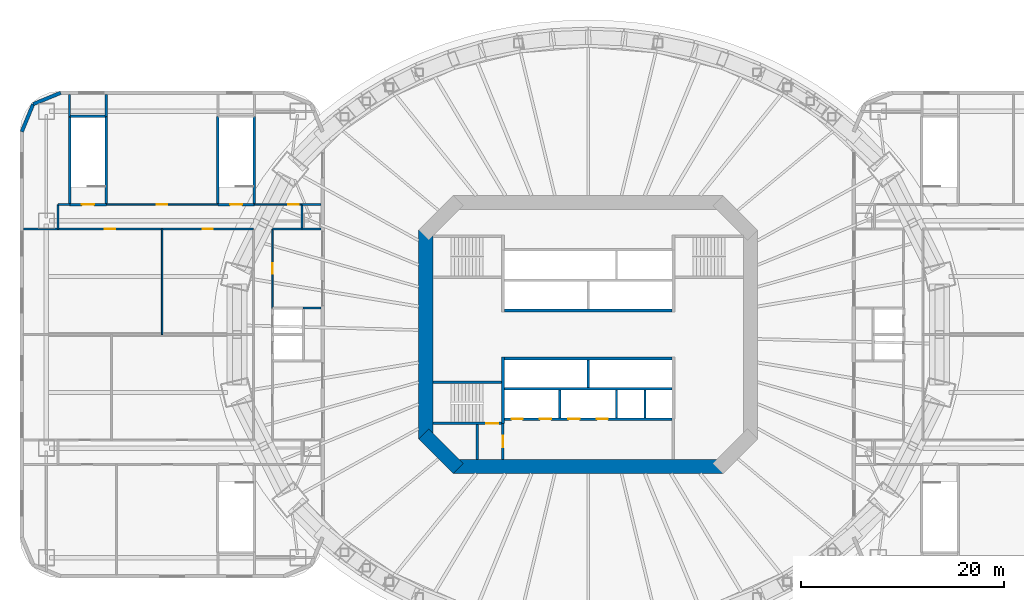
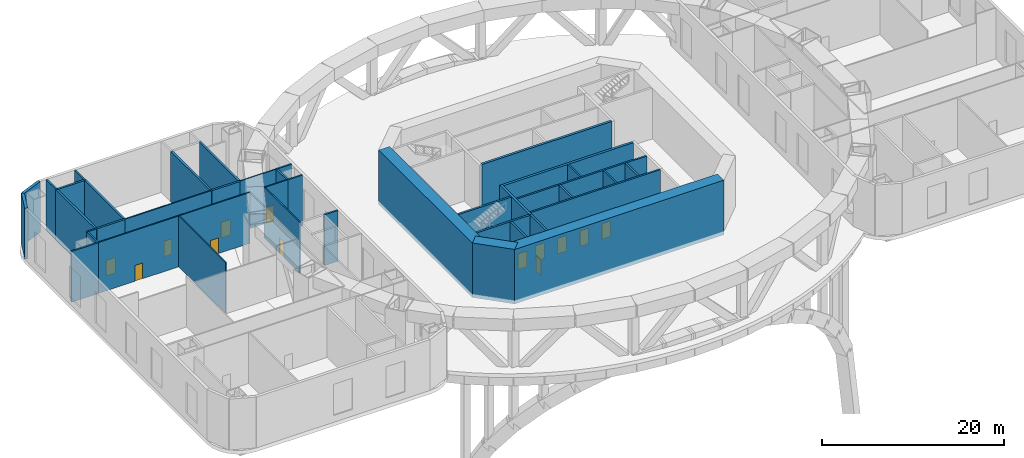
# One storey, part 8 of 13: 40 walls, 13 doors, 13 openings.
"""IFC4 building model written with IfcOpenShell, lengths in metres."""

from ifc_helpers import new_model, si_unit, direction, frame, frame_2d, origin, place, context, subcontext, project, spatial, rectangle, extrude, material, layer, layer_set, type_object, element, fill, save


model = new_model("IFC4")

# Units and contexts
model_context = context("Model", 3, precision=1e-05, world=origin(), true_north=direction((0.0, 1.0)))
body_context = subcontext(model_context, "Body", "Model", "MODEL_VIEW")
ifc_project = project(units=[si_unit("LENGTHUNIT", "METRE"), si_unit("AREAUNIT", "SQUARE_METRE"), si_unit("VOLUMEUNIT", "CUBIC_METRE"), si_unit("PLANEANGLEUNIT", "RADIAN"), si_unit("MASSUNIT", "GRAM", prefix="KILO")], contexts=[model_context])

# Site, building, storey
site_placement = place(None, origin())
site = spatial("IfcSite", under=ifc_project, at=site_placement, CompositionType="ELEMENT")
building_placement = place(site_placement, origin())
building = spatial("IfcBuilding", under=site, at=building_placement, Name="Marenthal Gate Tower", CompositionType="ELEMENT")
storey_placement = place(building_placement, frame((0.0, 0.0, 26.0)))
storey = spatial("IfcBuildingStorey", under=building, at=storey_placement, Name="L03", CompositionType="ELEMENT", Elevation=26.0)

# Walls
ifc_material_1 = material(Name="Concrete 60 MPa", Category="concrete")
ifc_layer_1 = layer(ifc_material_1, 1.39990234375)
ifc_layer_set_1 = layer_set([ifc_layer_1], Name="Core shear wall 1400")
wall_type_1 = type_object("IfcWallType", Name="Core shear wall 1400", PredefinedType="SHEAR", material=ifc_layer_set_1)
wall_1_placement = place(storey_placement, frame((-16.0, 10.289794921875, -0.5), z_axis=(0.0, 0.0, 1.0), x_axis=(0.0, -1.0, 0.0)))
element("IfcWall", 1, at=wall_1_placement, inside=storey, type_object=wall_type_1, Name="Core wall 06", PredefinedType="SHEAR", context=body_context, shape_type="SweptSolid", body=[
    extrude(rectangle(XDim=20.57958984375, YDim=1.39990234375, at=frame_2d((10.289794921875, 0.0))), origin(), (0.0, 0.0, 1.0), 7.320068359375),
])
wall_2_placement = place(storey_placement, frame((-16.205078125, -9.794921875, -0.5), z_axis=(0.0, 0.0, 1.0), x_axis=(0.707106781187, -0.707106781187, 0.0)))
element("IfcWall", 2, at=wall_2_placement, inside=storey, type_object=wall_type_1, Name="Core wall 07", PredefinedType="SHEAR", context=body_context, shape_type="SweptSolid", body=[
    extrude(rectangle(XDim=4.82275390625, YDim=1.39990234375, at=frame_2d((2.411376953125, 0.0))), origin(), (0.0, 0.0, 1.0), 7.320068359375),
])
wall_3_placement = place(storey_placement, frame((-13.289794921875, -13.0, -0.5), z_axis=(0.0, 0.0, 1.0), x_axis=(1.0, 0.0, 0.0)))
element("IfcWall", 3, at=wall_3_placement, inside=storey, type_object=wall_type_1, Name="Core wall 08", PredefinedType="SHEAR", context=body_context, shape_type="SweptSolid", body=[
    extrude(rectangle(XDim=26.57958984375, YDim=1.39990234375, at=frame_2d((13.289794921875, 0.0))), origin(), (0.0, 0.0, 1.0), 7.320068359375),
])
ifc_material_2 = material(Name="Concrete 50 MPa", Category="concrete")
ifc_layer_2 = layer(ifc_material_2, 0.300048828125)
ifc_layer_set_2 = layer_set([ifc_layer_2], Name="Hoistway shear wall 300")
wall_type_2 = type_object("IfcWallType", Name="Hoistway shear wall 300", PredefinedType="SHEAR", material=ifc_layer_set_2)
for number, where, z_axis, x_axis, name in (
    (4, (-8.25, -2.35009765625, -0.5), (0.0, 0.0, 1.0), (1.0, 0.0, 0.0), "Hoistway wall 13"),
    (5, (-8.25, 2.35009765625, -0.5), (0.0, 0.0, 1.0), (1.0, 0.0, 0.0), "Hoistway wall 14"),
):
    element("IfcWall", number, at=place(storey_placement, frame(where, z_axis=z_axis, x_axis=x_axis)), inside=storey, type_object=wall_type_2, Name=name, PredefinedType="SHEAR", context=body_context, shape_type="SweptSolid", body=[
        extrude(rectangle(XDim=16.5, YDim=0.300048828125, at=frame_2d((8.25, 0.0))), origin(), (0.0, 0.0, 1.0), 7.320068359375),
    ])
wall_4_placement = place(storey_placement, frame((-8.39990234375, -8.75, -0.5), z_axis=(0.0, 0.0, 1.0), x_axis=(0.0, 1.0, 0.0)))
element("IfcWall", 6, at=wall_4_placement, inside=storey, type_object=wall_type_2, Name="Hoistway wall 23", PredefinedType="SHEAR", context=body_context, shape_type="SweptSolid", body=[
    extrude(rectangle(XDim=6.550048828125, YDim=0.300048828125, at=frame_2d((3.27490234375, 0.0))), origin(), (0.0, 0.0, 1.0), 7.320068359375),
])

# Wall, openings, doors
ifc_material_3 = material(Name="Concrete 40 MPa", Category="concrete")
ifc_layer_3 = layer(ifc_material_3, 0.219970703125)
ifc_layer_set_3 = layer_set([ifc_layer_3], Name="Hoistway wall 220")
wall_type_3 = type_object("IfcWallType", Name="Hoistway wall 220", PredefinedType="STANDARD", material=ifc_layer_set_3)
wall_5_placement = place(storey_placement, frame((-8.25, -8.35009765625, 0.0), z_axis=(0.0, 0.0, 1.0), x_axis=(1.0, 0.0, 0.0)))
wall_5 = element("IfcWall", 7, at=wall_5_placement, inside=storey, type_object=wall_type_3, Name="Hoistway wall 10", PredefinedType="STANDARD", context=body_context, shape_type="SweptSolid", body=[
    extrude(rectangle(XDim=16.5, YDim=0.219970703125, at=frame_2d((8.25, 0.0))), origin(), (0.0, 0.0, 1.0), 6.820068359375),
])
opening_1_placement = place(wall_5_placement, frame((0.699951171875, 0.0, 0.0)))
opening_1 = element("IfcOpeningElement", 8, at=opening_1_placement, cuts=wall_5, Name="Opening LD-LF1", PredefinedType="OPENING", context=body_context, shape_type="SweptSolid", body=[
    extrude(rectangle(XDim=1.10009765625, YDim=2.10009765625, at=frame_2d((0.550048828125, 1.050048828125))), frame((0.0, 0.1201171875, 0.0), z_axis=(0.0, -1.0, 0.0), x_axis=(1.0, 0.0, 0.0)), (0.0, 0.0, 1.0), 0.239990234375),
])
opening_2_placement = place(wall_5_placement, frame((3.5, 0.0, 0.0)))
opening_2 = element("IfcOpeningElement", 9, at=opening_2_placement, cuts=wall_5, Name="Opening LD-LF2", PredefinedType="OPENING", context=body_context, shape_type="SweptSolid", body=[
    extrude(rectangle(XDim=1.10009765625, YDim=2.10009765625, at=frame_2d((0.550048828125, 1.050048828125))), frame((0.0, 0.1201171875, 0.0), z_axis=(0.0, -1.0, 0.0), x_axis=(1.0, 0.0, 0.0)), (0.0, 0.0, 1.0), 0.239990234375),
])
opening_3_placement = place(wall_5_placement, frame((6.300048828125, 0.0, 0.0)))
opening_3 = element("IfcOpeningElement", 10, at=opening_3_placement, cuts=wall_5, Name="Opening LD-SV1", PredefinedType="OPENING", context=body_context, shape_type="SweptSolid", body=[
    extrude(rectangle(XDim=1.10009765625, YDim=2.10009765625, at=frame_2d((0.550048828125, 1.050048828125))), frame((0.0, 0.1201171875, 0.0), z_axis=(0.0, -1.0, 0.0), x_axis=(1.0, 0.0, 0.0)), (0.0, 0.0, 1.0), 0.239990234375),
])
opening_4_placement = place(wall_5_placement, frame((9.10009765625, 0.0, 0.0)))
opening_4 = element("IfcOpeningElement", 11, at=opening_4_placement, cuts=wall_5, Name="Opening LD-SV2", PredefinedType="OPENING", context=body_context, shape_type="SweptSolid", body=[
    extrude(rectangle(XDim=1.10009765625, YDim=2.10009765625, at=frame_2d((0.550048828125, 1.050048828125))), frame((0.0, 0.1201171875, 0.0), z_axis=(0.0, -1.0, 0.0), x_axis=(1.0, 0.0, 0.0)), (0.0, 0.0, 1.0), 0.239990234375),
])
ifc_material_4 = material(Name="Stainless steel sliding door", Category="steel")
door_type_1 = type_object("IfcDoorType", Name="Lift landing door FD 90 1100 x 2100", OperationType="DOUBLE_DOOR_SLIDING", PredefinedType="DOOR", material=ifc_material_4)
door_1_placement = place(opening_1_placement, origin())
door_1 = element("IfcDoor", 12, at=door_1_placement, inside=storey, type_object=door_type_1, Name="Lift landing door LF1", OperationType="DOUBLE_DOOR_SLIDING", OverallHeight=2.10009765625, OverallWidth=1.10009765625, PredefinedType="DOOR", context=body_context, shape_type="SweptSolid", body=[
    extrude(rectangle(XDim=1.10009765625, YDim=2.10009765625, at=frame_2d((0.550048828125, 1.050048828125))), frame((0.0, 0.02490234375, 0.0), z_axis=(0.0, -1.0, 0.0), x_axis=(1.0, 0.0, 0.0)), (0.0, 0.0, 1.0), 0.050048828125),
])
fill(opening_1, door_1)
door_2_placement = place(opening_2_placement, origin())
door_2 = element("IfcDoor", 13, at=door_2_placement, inside=storey, type_object=door_type_1, Name="Lift landing door LF2", OperationType="DOUBLE_DOOR_SLIDING", OverallHeight=2.10009765625, OverallWidth=1.10009765625, PredefinedType="DOOR", context=body_context, shape_type="SweptSolid", body=[
    extrude(rectangle(XDim=1.10009765625, YDim=2.10009765625, at=frame_2d((0.550048828125, 1.050048828125))), frame((0.0, 0.02490234375, 0.0), z_axis=(0.0, -1.0, 0.0), x_axis=(1.0, 0.0, 0.0)), (0.0, 0.0, 1.0), 0.050048828125),
])
fill(opening_2, door_2)
door_3_placement = place(opening_3_placement, origin())
door_3 = element("IfcDoor", 14, at=door_3_placement, inside=storey, type_object=door_type_1, Name="Lift landing door SV1", OperationType="DOUBLE_DOOR_SLIDING", OverallHeight=2.10009765625, OverallWidth=1.10009765625, PredefinedType="DOOR", context=body_context, shape_type="SweptSolid", body=[
    extrude(rectangle(XDim=1.10009765625, YDim=2.10009765625, at=frame_2d((0.550048828125, 1.050048828125))), frame((0.0, 0.02490234375, 0.0), z_axis=(0.0, -1.0, 0.0), x_axis=(1.0, 0.0, 0.0)), (0.0, 0.0, 1.0), 0.050048828125),
])
fill(opening_3, door_3)
door_4_placement = place(opening_4_placement, origin())
door_4 = element("IfcDoor", 15, at=door_4_placement, inside=storey, type_object=door_type_1, Name="Lift landing door SV2", OperationType="DOUBLE_DOOR_SLIDING", OverallHeight=2.10009765625, OverallWidth=1.10009765625, PredefinedType="DOOR", context=body_context, shape_type="SweptSolid", body=[
    extrude(rectangle(XDim=1.10009765625, YDim=2.10009765625, at=frame_2d((0.550048828125, 1.050048828125))), frame((0.0, 0.02490234375, 0.0), z_axis=(0.0, -1.0, 0.0), x_axis=(1.0, 0.0, 0.0)), (0.0, 0.0, 1.0), 0.050048828125),
])
fill(opening_4, door_4)

# Walls
wall_6_placement = place(storey_placement, frame((-8.25, -5.35009765625, 0.0), z_axis=(0.0, 0.0, 1.0), x_axis=(1.0, 0.0, 0.0)))
element("IfcWall", 16, at=wall_6_placement, inside=storey, type_object=wall_type_3, Name="Hoistway wall 11", PredefinedType="STANDARD", context=body_context, shape_type="SweptSolid", body=[
    extrude(rectangle(XDim=16.5, YDim=0.219970703125, at=frame_2d((8.25, 0.0))), origin(), (0.0, 0.0, 1.0), 6.820068359375),
])
wall_7_placement = place(storey_placement, frame((-2.800048828125, -8.239990234375, 0.0), z_axis=(0.0, 0.0, 1.0), x_axis=(0.0, 1.0, 0.0)))
element("IfcWall", 17, at=wall_7_placement, inside=storey, type_object=wall_type_3, Name="Hoistway wall 26", PredefinedType="STANDARD", context=body_context, shape_type="SweptSolid", body=[
    extrude(rectangle(XDim=2.780029296875, YDim=0.219970703125, at=frame_2d((1.39013671875, 0.0))), origin(), (0.0, 0.0, 1.0), 6.820068359375),
])
wall_8_placement = place(storey_placement, frame((0.0, -5.239990234375, 0.0), z_axis=(0.0, 0.0, 1.0), x_axis=(0.0, 1.0, 0.0)))
element("IfcWall", 18, at=wall_8_placement, inside=storey, type_object=wall_type_3, Name="Hoistway wall 27", PredefinedType="STANDARD", context=body_context, shape_type="SweptSolid", body=[
    extrude(rectangle(XDim=2.739990234375, YDim=0.219970703125, at=frame_2d((1.3701171875, 0.0))), origin(), (0.0, 0.0, 1.0), 6.820068359375),
])
for number, where, z_axis, x_axis, name in (
    (19, (2.800048828125, -8.239990234375, 0.0), (0.0, 0.0, 1.0), (0.0, 1.0, 0.0), "Hoistway wall 29"),
    (20, (5.60009765625, -8.239990234375, 0.0), (0.0, 0.0, 1.0), (0.0, 1.0, 0.0), "Hoistway wall 31"),
):
    element("IfcWall", number, at=place(storey_placement, frame(where, z_axis=z_axis, x_axis=x_axis)), inside=storey, type_object=wall_type_3, Name=name, PredefinedType="STANDARD", context=body_context, shape_type="SweptSolid", body=[
        extrude(rectangle(XDim=2.780029296875, YDim=0.219970703125, at=frame_2d((1.39013671875, 0.0))), origin(), (0.0, 0.0, 1.0), 6.820068359375),
    ])

# Wall, openings, doors
ifc_material_5 = material(Name="Gypsum board on steel studs", Category="steel")
ifc_layer_4 = layer(ifc_material_5, 0.14990234375)
ifc_layer_set_4 = layer_set([ifc_layer_4], Name="Partition 150")
wall_type_4 = type_object("IfcWallType", Name="Partition 150", PredefinedType="PARTITIONING", material=ifc_layer_set_4)
wall_9_placement = place(storey_placement, frame((-52.25, 10.39990234375, 0.0), z_axis=(0.0, 0.0, 1.0), x_axis=(1.0, 0.0, 0.0)))
wall_9 = element("IfcWall", 21, at=wall_9_placement, inside=storey, type_object=wall_type_4, Name="Partition wall 56", PredefinedType="PARTITIONING", context=body_context, shape_type="SweptSolid", body=[
    extrude(rectangle(XDim=19.2548828125, YDim=0.14990234375, at=frame_2d((9.62744140625, 0.0))), origin(), (0.0, 0.0, 1.0), 6.820068359375),
])
opening_5_placement = place(wall_9_placement, frame((14.25, 0.0, 0.0)))
opening_5 = element("IfcOpeningElement", 22, at=opening_5_placement, cuts=wall_9, Name="Opening D005.13", PredefinedType="OPENING", context=body_context, shape_type="SweptSolid", body=[
    extrude(rectangle(XDim=1.0, YDim=2.10009765625, at=frame_2d((0.5, 1.050048828125))), frame((0.0, 0.0849609375, 0.0), z_axis=(0.0, -1.0, 0.0), x_axis=(1.0, 0.0, 0.0)), (0.0, 0.0, 1.0), 0.169921875),
])
opening_6_placement = place(wall_9_placement, frame((4.62255859375, 0.0, 0.0)))
opening_6 = element("IfcOpeningElement", 23, at=opening_6_placement, cuts=wall_9, Name="Opening D005.14", PredefinedType="OPENING", context=body_context, shape_type="SweptSolid", body=[
    extrude(rectangle(XDim=1.0, YDim=2.10009765625, at=frame_2d((0.5, 1.050048828125))), frame((0.0, 0.0849609375, 0.0), z_axis=(0.0, -1.0, 0.0), x_axis=(1.0, 0.0, 0.0)), (0.0, 0.0, 1.0), 0.169921875),
])
ifc_material_6 = material(Name="Steel fire door", Category="steel")
door_type_2 = type_object("IfcDoorType", Name="Fire door FD 45 1000 x 2100", OperationType="NOTDEFINED", PredefinedType="DOOR", material=ifc_material_6)
door_5_placement = place(opening_5_placement, frame((1.0, 0.0, 0.0), z_axis=(0.0, 0.0, 1.0), x_axis=(-1.0, 0.0, 0.0)))
door_5 = element("IfcDoor", 24, at=door_5_placement, inside=storey, type_object=door_type_2, Name="Door D005.13", OperationType="SINGLE_SWING_LEFT", OverallHeight=2.10009765625, OverallWidth=1.0, PredefinedType="DOOR", context=body_context, shape_type="SweptSolid", body=[
    extrude(rectangle(XDim=1.0, YDim=2.10009765625, at=frame_2d((0.5, 1.050048828125))), frame((0.0, 0.02490234375, 0.0), z_axis=(0.0, -1.0, 0.0), x_axis=(1.0, 0.0, 0.0)), (0.0, 0.0, 1.0), 0.050048828125),
])
fill(opening_5, door_5)
door_6_placement = place(opening_6_placement, frame((1.0, 0.0, 0.0), z_axis=(0.0, 0.0, 1.0), x_axis=(-1.0, 0.0, 0.0)))
door_6 = element("IfcDoor", 25, at=door_6_placement, inside=storey, type_object=door_type_2, Name="Door D005.14", OperationType="SINGLE_SWING_LEFT", OverallHeight=2.10009765625, OverallWidth=1.0, PredefinedType="DOOR", context=body_context, shape_type="SweptSolid", body=[
    extrude(rectangle(XDim=1.0, YDim=2.10009765625, at=frame_2d((0.5, 1.050048828125))), frame((0.0, 0.02490234375, 0.0), z_axis=(0.0, -1.0, 0.0), x_axis=(1.0, 0.0, 0.0)), (0.0, 0.0, 1.0), 0.050048828125),
])
fill(opening_6, door_6)

# Wall
wall_10_placement = place(storey_placement, frame((-31.10498046875, 10.39990234375, 0.0), z_axis=(0.0, 0.0, 1.0), x_axis=(1.0, 0.0, 0.0)))
element("IfcWall", 26, at=wall_10_placement, inside=storey, type_object=wall_type_4, Name="Partition wall 57", PredefinedType="PARTITIONING", context=body_context, shape_type="SweptSolid", body=[
    extrude(rectangle(XDim=2.905029296875, YDim=0.14990234375, at=frame_2d((1.45263671875, 0.0))), origin(), (0.0, 0.0, 1.0), 6.820068359375),
])

# Wall, opening, door
wall_11_placement = place(storey_placement, frame((-47.5048828125, 12.800048828125, 0.0), z_axis=(0.0, 0.0, 1.0), x_axis=(1.0, 0.0, 0.0)))
wall_11 = element("IfcWall", 27, at=wall_11_placement, inside=storey, type_object=wall_type_4, Name="Partition wall 60", PredefinedType="PARTITIONING", context=body_context, shape_type="SweptSolid", body=[
    extrude(rectangle(XDim=11.009765625, YDim=0.14990234375, at=frame_2d((5.5048828125, 0.0))), origin(), (0.0, 0.0, 1.0), 6.820068359375),
])
opening_7_placement = place(wall_11_placement, frame((5.0048828125, 0.0, 0.0)))
opening_7 = element("IfcOpeningElement", 28, at=opening_7_placement, cuts=wall_11, Name="Opening D005.12", PredefinedType="OPENING", context=body_context, shape_type="SweptSolid", body=[
    extrude(rectangle(XDim=1.0, YDim=2.10009765625, at=frame_2d((0.5, 1.050048828125))), frame((0.0, 0.0849609375, 0.0), z_axis=(0.0, -1.0, 0.0), x_axis=(1.0, 0.0, 0.0)), (0.0, 0.0, 1.0), 0.169921875),
])
door_7_placement = place(opening_7_placement, origin())
door_7 = element("IfcDoor", 29, at=door_7_placement, inside=storey, type_object=door_type_2, Name="Door D005.12", OperationType="SINGLE_SWING_RIGHT", OverallHeight=2.10009765625, OverallWidth=1.0, PredefinedType="DOOR", context=body_context, shape_type="SweptSolid", body=[
    extrude(rectangle(XDim=1.0, YDim=2.10009765625, at=frame_2d((0.5, 1.050048828125))), frame((0.0, 0.02490234375, 0.0), z_axis=(0.0, -1.0, 0.0), x_axis=(1.0, 0.0, 0.0)), (0.0, 0.0, 1.0), 0.050048828125),
])
fill(opening_7, door_7)

wall_12_placement = place(storey_placement, frame((-32.905029296875, 12.800048828125, 0.0), z_axis=(0.0, 0.0, 1.0), x_axis=(1.0, 0.0, 0.0)))
wall_12 = element("IfcWall", 30, at=wall_12_placement, inside=storey, type_object=wall_type_4, Name="Partition wall 61", PredefinedType="PARTITIONING", context=body_context, shape_type="SweptSolid", body=[
    extrude(rectangle(XDim=4.705078125, YDim=0.14990234375, at=frame_2d((2.3525390625, 0.0))), origin(), (0.0, 0.0, 1.0), 6.820068359375),
])
opening_8_placement = place(wall_12_placement, frame((3.357421875, 0.0, 0.0)))
opening_8 = element("IfcOpeningElement", 31, at=opening_8_placement, cuts=wall_12, Name="Opening D005.21", PredefinedType="OPENING", context=body_context, shape_type="SweptSolid", body=[
    extrude(rectangle(XDim=1.0, YDim=2.10009765625, at=frame_2d((0.5, 1.050048828125))), frame((0.0, 0.0849609375, 0.0), z_axis=(0.0, -1.0, 0.0), x_axis=(1.0, 0.0, 0.0)), (0.0, 0.0, 1.0), 0.169921875),
])
door_8_placement = place(opening_8_placement, origin())
door_8 = element("IfcDoor", 32, at=door_8_placement, inside=storey, type_object=door_type_2, Name="Door D005.21", OperationType="SINGLE_SWING_RIGHT", OverallHeight=2.10009765625, OverallWidth=1.0, PredefinedType="DOOR", context=body_context, shape_type="SweptSolid", body=[
    extrude(rectangle(XDim=1.0, YDim=2.10009765625, at=frame_2d((0.5, 1.050048828125))), frame((0.0, 0.02490234375, 0.0), z_axis=(0.0, -1.0, 0.0), x_axis=(1.0, 0.0, 0.0)), (0.0, 0.0, 1.0), 0.050048828125),
])
fill(opening_8, door_8)

wall_13_placement = place(storey_placement, frame((-31.10009765625, 2.594970703125, 0.0), z_axis=(0.0, 0.0, 1.0), x_axis=(0.0, 1.0, 0.0)))
wall_13 = element("IfcWall", 33, at=wall_13_placement, inside=storey, type_object=wall_type_4, Name="Partition wall 71", PredefinedType="PARTITIONING", context=body_context, shape_type="SweptSolid", body=[
    extrude(rectangle(XDim=7.804931640625, YDim=0.14990234375, at=frame_2d((3.90234375, 0.0))), origin(), (0.0, 0.0, 1.0), 6.820068359375),
])
opening_9_placement = place(wall_13_placement, frame((3.405029296875, 0.0, 0.0)))
opening_9 = element("IfcOpeningElement", 34, at=opening_9_placement, cuts=wall_13, Name="Opening D005.19", PredefinedType="OPENING", context=body_context, shape_type="SweptSolid", body=[
    extrude(rectangle(XDim=1.0, YDim=2.10009765625, at=frame_2d((0.5, 1.050048828125))), frame((0.0, 0.0849609375, 0.0), z_axis=(0.0, -1.0, 0.0), x_axis=(1.0, 0.0, 0.0)), (0.0, 0.0, 1.0), 0.169921875),
])
door_9_placement = place(opening_9_placement, frame((1.0, 0.0, 0.0), z_axis=(0.0, 0.0, 1.0), x_axis=(-1.0, 0.0, 0.0)))
door_9 = element("IfcDoor", 35, at=door_9_placement, inside=storey, type_object=door_type_2, Name="Door D005.19", OperationType="SINGLE_SWING_LEFT", OverallHeight=2.10009765625, OverallWidth=1.0, PredefinedType="DOOR", context=body_context, shape_type="SweptSolid", body=[
    extrude(rectangle(XDim=1.0, YDim=2.10009765625, at=frame_2d((0.5, 1.050048828125))), frame((0.0, 0.02490234375, 0.0), z_axis=(0.0, -1.0, 0.0), x_axis=(1.0, 0.0, 0.0)), (0.0, 0.0, 1.0), 0.050048828125),
])
fill(opening_9, door_9)

# Walls
wall_14_placement = place(storey_placement, frame((-42.0, 0.0, 0.0), z_axis=(0.0, 0.0, 1.0), x_axis=(0.0, 1.0, 0.0)))
element("IfcWall", 36, at=wall_14_placement, inside=storey, type_object=wall_type_4, Name="Partition wall 73", PredefinedType="PARTITIONING", context=body_context, shape_type="SweptSolid", body=[
    extrude(rectangle(XDim=10.39990234375, YDim=0.14990234375, at=frame_2d((5.199951171875, 0.0))), origin(), (0.0, 0.0, 1.0), 6.820068359375),
])
ifc_material_7 = material(Name="Gypsum board on steel studs", Category="steel")
ifc_layer_5 = layer(ifc_material_7, 0.199951171875)
ifc_layer_set_5 = layer_set([ifc_layer_5], Name="Partition 200")
wall_type_5 = type_object("IfcWallType", Name="Partition 200", PredefinedType="PARTITIONING", material=ifc_layer_set_5)
wall_15_placement = place(storey_placement, frame((-28.10009765625, 2.60009765625, 0.0), z_axis=(0.0, 0.0, 1.0), x_axis=(1.0, 0.0, 0.0)))
element("IfcWall", 37, at=wall_15_placement, inside=storey, type_object=wall_type_5, Name="Partition wall 88", PredefinedType="PARTITIONING", context=body_context, shape_type="SweptSolid", body=[
    extrude(rectangle(XDim=1.77001953125, YDim=0.199951171875, at=frame_2d((0.885009765625, 0.0))), origin(), (0.0, 0.0, 1.0), 6.820068359375),
])
wall_16_placement = place(storey_placement, frame((-55.669921875, 10.39990234375, 0.0), z_axis=(0.0, 0.0, 1.0), x_axis=(1.0, 0.0, 0.0)))
element("IfcWall", 38, at=wall_16_placement, inside=storey, type_object=wall_type_5, Name="Partition wall 90", PredefinedType="PARTITIONING", context=body_context, shape_type="SweptSolid", body=[
    extrude(rectangle(XDim=3.4248046875, YDim=0.199951171875, at=frame_2d((1.71240234375, 0.0))), origin(), (0.0, 0.0, 1.0), 6.820068359375),
])
wall_17_placement = place(storey_placement, frame((-28.203857421875, 10.39990234375, 0.0), z_axis=(0.0, 0.0, 1.0), x_axis=(1.0, 0.0, 0.0)))
element("IfcWall", 39, at=wall_17_placement, inside=storey, type_object=wall_type_5, Name="Partition wall 91", PredefinedType="PARTITIONING", context=body_context, shape_type="SweptSolid", body=[
    extrude(rectangle(XDim=1.873779296875, YDim=0.199951171875, at=frame_2d((0.93701171875, 0.0))), origin(), (0.0, 0.0, 1.0), 6.820068359375),
])
wall_18_placement = place(storey_placement, frame((-52.25, 12.800048828125, 0.0), z_axis=(0.0, 0.0, 1.0), x_axis=(1.0, 0.0, 0.0)))
element("IfcWall", 40, at=wall_18_placement, inside=storey, type_object=wall_type_5, Name="Partition wall 94", PredefinedType="PARTITIONING", context=body_context, shape_type="SweptSolid", body=[
    extrude(rectangle(XDim=1.155029296875, YDim=0.199951171875, at=frame_2d((0.57763671875, 0.0))), origin(), (0.0, 0.0, 1.0), 6.820068359375),
])
wall_19_placement = place(storey_placement, frame((-28.203857421875, 12.800048828125, 0.0), z_axis=(0.0, 0.0, 1.0), x_axis=(1.0, 0.0, 0.0)))
element("IfcWall", 41, at=wall_19_placement, inside=storey, type_object=wall_type_5, Name="Partition wall 95", PredefinedType="PARTITIONING", context=body_context, shape_type="SweptSolid", body=[
    extrude(rectangle(XDim=1.873779296875, YDim=0.199951171875, at=frame_2d((0.93701171875, 0.0))), origin(), (0.0, 0.0, 1.0), 6.820068359375),
])
wall_20_placement = place(storey_placement, frame((-28.199951171875, 10.39990234375, 0.0), z_axis=(0.0, 0.0, 1.0), x_axis=(0.0, 1.0, 0.0)))
element("IfcWall", 42, at=wall_20_placement, inside=storey, type_object=wall_type_5, Name="Partition wall 12", PredefinedType="PARTITIONING", context=body_context, shape_type="SweptSolid", body=[
    extrude(rectangle(XDim=2.400146484375, YDim=0.199951171875, at=frame_2d((1.2001953125, 0.0))), origin(), (0.0, 0.0, 1.0), 6.820068359375),
])
for number, where, z_axis, x_axis, name in (
    (43, (-47.5, 21.49609375, 0.0), (0.0, 0.0, 1.0), (0.0, 1.0, 0.0), "Partition wall 17"),
    (44, (-51.10009765625, 21.49609375, 0.0), (0.0, 0.0, 1.0), (0.0, 1.0, 0.0), "Partition wall 18"),
):
    element("IfcWall", number, at=place(storey_placement, frame(where, z_axis=z_axis, x_axis=x_axis)), inside=storey, type_object=wall_type_5, Name=name, PredefinedType="PARTITIONING", context=body_context, shape_type="SweptSolid", body=[
        extrude(rectangle(XDim=2.173828125, YDim=0.199951171875, at=frame_2d((1.0869140625, 0.0))), origin(), (0.0, 0.0, 1.0), 6.820068359375),
    ])
wall_21_placement = place(storey_placement, frame((-52.25, 10.39990234375, 0.0), z_axis=(0.0, 0.0, 1.0), x_axis=(0.0, 1.0, 0.0)))
element("IfcWall", 45, at=wall_21_placement, inside=storey, type_object=wall_type_5, Name="Partition wall 20", PredefinedType="PARTITIONING", context=body_context, shape_type="SweptSolid", body=[
    extrude(rectangle(XDim=2.400146484375, YDim=0.199951171875, at=frame_2d((1.2001953125, 0.0))), origin(), (0.0, 0.0, 1.0), 6.820068359375),
])
ifc_material_8 = material(Name="Concrete 40 MPa", Category="concrete")
ifc_layer_6 = layer(ifc_material_8, 0.25)
ifc_layer_set_6 = layer_set([ifc_layer_6], Name="Stair enclosure wall 250")
wall_type_6 = type_object("IfcWallType", Name="Stair enclosure wall 250", PredefinedType="STANDARD", material=ifc_layer_set_6)
wall_22_placement = place(storey_placement, frame((-10.949951171875, -12.300048828125, 0.0), z_axis=(0.0, 0.0, 1.0), x_axis=(0.0, 1.0, 0.0)))
element("IfcWall", 46, at=wall_22_placement, inside=storey, type_object=wall_type_6, Name="Stair wall 21", PredefinedType="STANDARD", context=body_context, shape_type="SweptSolid", body=[
    extrude(rectangle(XDim=3.425048828125, YDim=0.25, at=frame_2d((1.71240234375, 0.0))), origin(), (0.0, 0.0, 1.0), 6.820068359375),
])

# Wall, opening, door
wall_23_placement = place(storey_placement, frame((-8.39990234375, -12.300048828125, 0.0), z_axis=(0.0, 0.0, 1.0), x_axis=(0.0, 1.0, 0.0)))
wall_23 = element("IfcWall", 47, at=wall_23_placement, inside=storey, type_object=wall_type_6, Name="Stair wall 22", PredefinedType="STANDARD", context=body_context, shape_type="SweptSolid", body=[
    extrude(rectangle(XDim=3.550048828125, YDim=0.25, at=frame_2d((1.77490234375, 0.0))), origin(), (0.0, 0.0, 1.0), 6.820068359375),
])
opening_10_placement = place(wall_23_placement, frame((1.199951171875, 0.0, 0.0)))
opening_10 = element("IfcOpeningElement", 48, at=opening_10_placement, cuts=wall_23, Name="Opening D002.01", PredefinedType="OPENING", context=body_context, shape_type="SweptSolid", body=[
    extrude(rectangle(XDim=1.10009765625, YDim=2.10009765625, at=frame_2d((0.550048828125, 1.050048828125))), frame((0.0, 0.135009765625, 0.0), z_axis=(0.0, -1.0, 0.0), x_axis=(1.0, 0.0, 0.0)), (0.0, 0.0, 1.0), 0.27001953125),
])
ifc_material_9 = material(Name="Steel fire door", Category="steel")
door_type_3 = type_object("IfcDoorType", Name="Fire door FD 90 1100 x 2100", OperationType="NOTDEFINED", PredefinedType="DOOR", material=ifc_material_9)
door_10_placement = place(opening_10_placement, origin())
door_10 = element("IfcDoor", 49, at=door_10_placement, inside=storey, type_object=door_type_3, Name="Door D002.01", OperationType="SINGLE_SWING_RIGHT", OverallHeight=2.10009765625, OverallWidth=1.10009765625, PredefinedType="DOOR", context=body_context, shape_type="SweptSolid", body=[
    extrude(rectangle(XDim=1.10009765625, YDim=2.10009765625, at=frame_2d((0.550048828125, 1.050048828125))), frame((0.0, 0.02490234375, 0.0), z_axis=(0.0, -1.0, 0.0), x_axis=(1.0, 0.0, 0.0)), (0.0, 0.0, 1.0), 0.050048828125),
])
fill(opening_10, door_10)

ifc_material_10 = material(Name="Concrete 50 MPa", Category="concrete")
ifc_layer_7 = layer(ifc_material_10, 0.25)
ifc_layer_set_7 = layer_set([ifc_layer_7], Name="Stair shear wall 250")
wall_type_7 = type_object("IfcWallType", Name="Stair shear wall 250", PredefinedType="SHEAR", material=ifc_layer_set_7)
wall_24_placement = place(storey_placement, frame((-15.300048828125, -8.75, -0.5), z_axis=(0.0, 0.0, 1.0), x_axis=(1.0, 0.0, 0.0)))
wall_24 = element("IfcWall", 50, at=wall_24_placement, inside=storey, type_object=wall_type_7, Name="Stair wall 09", PredefinedType="SHEAR", context=body_context, shape_type="SweptSolid", body=[
    extrude(rectangle(XDim=6.75, YDim=0.25, at=frame_2d((3.375, 0.0))), origin(), (0.0, 0.0, 1.0), 7.320068359375),
])
opening_11_placement = place(wall_24_placement, frame((5.25, 0.0, 0.5)))
opening_11 = element("IfcOpeningElement", 51, at=opening_11_placement, cuts=wall_24, Name="Opening D001.01", PredefinedType="OPENING", context=body_context, shape_type="SweptSolid", body=[
    extrude(rectangle(XDim=1.199951171875, YDim=2.10009765625, at=frame_2d((0.60009765625, 1.050048828125))), frame((0.0, 0.135009765625, 0.0), z_axis=(0.0, -1.0, 0.0), x_axis=(1.0, 0.0, 0.0)), (0.0, 0.0, 1.0), 0.27001953125),
])
ifc_material_11 = material(Name="Steel fire door", Category="steel")
door_type_4 = type_object("IfcDoorType", Name="Fire door FD 90 1200 x 2100", OperationType="NOTDEFINED", PredefinedType="DOOR", material=ifc_material_11)
door_11_placement = place(opening_11_placement, origin())
door_11 = element("IfcDoor", 52, at=door_11_placement, inside=storey, type_object=door_type_4, Name="Door D001.01", OperationType="SINGLE_SWING_RIGHT", OverallHeight=2.10009765625, OverallWidth=1.199951171875, PredefinedType="DOOR", context=body_context, shape_type="SweptSolid", body=[
    extrude(rectangle(XDim=1.199951171875, YDim=2.10009765625, at=frame_2d((0.60009765625, 1.050048828125))), frame((0.0, 0.02490234375, 0.0), z_axis=(0.0, -1.0, 0.0), x_axis=(1.0, 0.0, 0.0)), (0.0, 0.0, 1.0), 0.050048828125),
])
fill(opening_11, door_11)

# Wall
wall_25_placement = place(storey_placement, frame((-15.300048828125, -4.699951171875, -0.5), z_axis=(0.0, 0.0, 1.0), x_axis=(1.0, 0.0, 0.0)))
element("IfcWall", 53, at=wall_25_placement, inside=storey, type_object=wall_type_7, Name="Stair wall 12", PredefinedType="SHEAR", context=body_context, shape_type="SweptSolid", body=[
    extrude(rectangle(XDim=6.75, YDim=0.25, at=frame_2d((3.375, 0.0))), origin(), (0.0, 0.0, 1.0), 7.320068359375),
])

# Wall, opening, door
wall_26_placement = place(storey_placement, frame((-51.10498046875, 12.800048828125, 0.0), z_axis=(0.0, 0.0, 1.0), x_axis=(1.0, 0.0, 0.0)))
wall_26 = element("IfcWall", 54, at=wall_26_placement, inside=storey, type_object=wall_type_7, Name="Stair wall 26", PredefinedType="SHEAR", context=body_context, shape_type="SweptSolid", body=[
    extrude(rectangle(XDim=3.60986328125, YDim=0.25, at=frame_2d((1.804931640625, 0.0))), origin(), (0.0, 0.0, 1.0), 6.820068359375),
])
opening_12_placement = place(wall_26_placement, frame((1.205078125, 0.0, 0.0)))
opening_12 = element("IfcOpeningElement", 55, at=opening_12_placement, cuts=wall_26, Name="Opening D001.07", PredefinedType="OPENING", context=body_context, shape_type="SweptSolid", body=[
    extrude(rectangle(XDim=1.199951171875, YDim=2.10009765625, at=frame_2d((0.60009765625, 1.050048828125))), frame((0.0, 0.135009765625, 0.0), z_axis=(0.0, -1.0, 0.0), x_axis=(1.0, 0.0, 0.0)), (0.0, 0.0, 1.0), 0.27001953125),
])
door_12_placement = place(opening_12_placement, origin())
door_12 = element("IfcDoor", 56, at=door_12_placement, inside=storey, type_object=door_type_4, Name="Door D001.07", OperationType="SINGLE_SWING_RIGHT", OverallHeight=2.10009765625, OverallWidth=1.199951171875, PredefinedType="DOOR", context=body_context, shape_type="SweptSolid", body=[
    extrude(rectangle(XDim=1.199951171875, YDim=2.10009765625, at=frame_2d((0.60009765625, 1.050048828125))), frame((0.0, 0.02490234375, 0.0), z_axis=(0.0, -1.0, 0.0), x_axis=(1.0, 0.0, 0.0)), (0.0, 0.0, 1.0), 0.050048828125),
])
fill(opening_12, door_12)

wall_27_placement = place(storey_placement, frame((-36.5048828125, 12.800048828125, 0.0), z_axis=(0.0, 0.0, 1.0), x_axis=(1.0, 0.0, 0.0)))
wall_27 = element("IfcWall", 57, at=wall_27_placement, inside=storey, type_object=wall_type_7, Name="Stair wall 27", PredefinedType="SHEAR", context=body_context, shape_type="SweptSolid", body=[
    extrude(rectangle(XDim=3.60986328125, YDim=0.25, at=frame_2d((1.804931640625, 0.0))), origin(), (0.0, 0.0, 1.0), 6.820068359375),
])
opening_13_placement = place(wall_27_placement, frame((1.205078125, 0.0, 0.0)))
opening_13 = element("IfcOpeningElement", 58, at=opening_13_placement, cuts=wall_27, Name="Opening D001.05", PredefinedType="OPENING", context=body_context, shape_type="SweptSolid", body=[
    extrude(rectangle(XDim=1.199951171875, YDim=2.10009765625, at=frame_2d((0.60009765625, 1.050048828125))), frame((0.0, 0.135009765625, 0.0), z_axis=(0.0, -1.0, 0.0), x_axis=(1.0, 0.0, 0.0)), (0.0, 0.0, 1.0), 0.27001953125),
])
door_13_placement = place(opening_13_placement, origin())
door_13 = element("IfcDoor", 59, at=door_13_placement, inside=storey, type_object=door_type_4, Name="Door D001.05", OperationType="SINGLE_SWING_RIGHT", OverallHeight=2.10009765625, OverallWidth=1.199951171875, PredefinedType="DOOR", context=body_context, shape_type="SweptSolid", body=[
    extrude(rectangle(XDim=1.199951171875, YDim=2.10009765625, at=frame_2d((0.60009765625, 1.050048828125))), frame((0.0, 0.02490234375, 0.0), z_axis=(0.0, -1.0, 0.0), x_axis=(1.0, 0.0, 0.0)), (0.0, 0.0, 1.0), 0.050048828125),
])
fill(opening_13, door_13)

# Walls
wall_28_placement = place(storey_placement, frame((-51.10009765625, 21.5, 0.0), z_axis=(0.0, 0.0, 1.0), x_axis=(1.0, 0.0, 0.0)))
element("IfcWall", 60, at=wall_28_placement, inside=storey, type_object=wall_type_7, Name="Stair wall 30", PredefinedType="SHEAR", context=body_context, shape_type="SweptSolid", body=[
    extrude(rectangle(XDim=3.60009765625, YDim=0.25, at=frame_2d((1.800048828125, 0.0))), origin(), (0.0, 0.0, 1.0), 6.820068359375),
])
for number, where, z_axis, x_axis, name in (
    (61, (-32.89990234375, 12.800048828125, 0.0), (0.0, 0.0, 1.0), (0.0, 1.0, 0.0), "Stair wall 41"),
    (62, (-36.5, 12.800048828125, 0.0), (0.0, 0.0, 1.0), (0.0, 1.0, 0.0), "Stair wall 43"),
    (63, (-47.5, 12.800048828125, 0.0), (0.0, 0.0, 1.0), (0.0, 1.0, 0.0), "Stair wall 44"),
    (64, (-51.10009765625, 12.800048828125, 0.0), (0.0, 0.0, 1.0), (0.0, 1.0, 0.0), "Stair wall 45"),
):
    element("IfcWall", number, at=place(storey_placement, frame(where, z_axis=z_axis, x_axis=x_axis)), inside=storey, type_object=wall_type_7, Name=name, PredefinedType="SHEAR", context=body_context, shape_type="SweptSolid", body=[
        extrude(rectangle(XDim=8.699951171875, YDim=0.25, at=frame_2d((4.35009765625, 0.0))), origin(), (0.0, 0.0, 1.0), 6.820068359375),
    ])
ifc_material_12 = material(Name="Terracotta cladding on insulated concrete-block backing", Category="masonry")
ifc_layer_8 = layer(ifc_material_12, 0.35009765625)
ifc_layer_set_8 = layer_set([ifc_layer_8], Name="Terracotta cladding wall 350")
wall_type_8 = type_object("IfcWallType", Name="Terracotta cladding wall 350", PredefinedType="SOLIDWALL", material=ifc_layer_set_8)
for number, where, z_axis, x_axis, name in (
    (65, (-51.988525390625, 23.824951171875, 0.0), (0.0, 0.0, 1.0), (-0.924274813566, -0.381727741993, 0.0), "Terracotta cladding wall L03 W7"),
    (66, (-54.70361328125, 22.70361328125, 0.0), (0.0, 0.0, 1.0), (-0.381727741993, -0.924274813566, 0.0), "Terracotta cladding wall L03 W8"),
):
    element("IfcWall", number, at=place(storey_placement, frame(where, z_axis=z_axis, x_axis=x_axis)), inside=storey, type_object=wall_type_8, Name=name, PredefinedType="SOLIDWALL", context=body_context, shape_type="SweptSolid", body=[
        extrude(rectangle(XDim=2.9375, YDim=0.35009765625, at=frame_2d((1.46875, 0.0))), origin(), (0.0, 0.0, 1.0), 6.820068359375),
    ])

save(model, "model.ifc")
